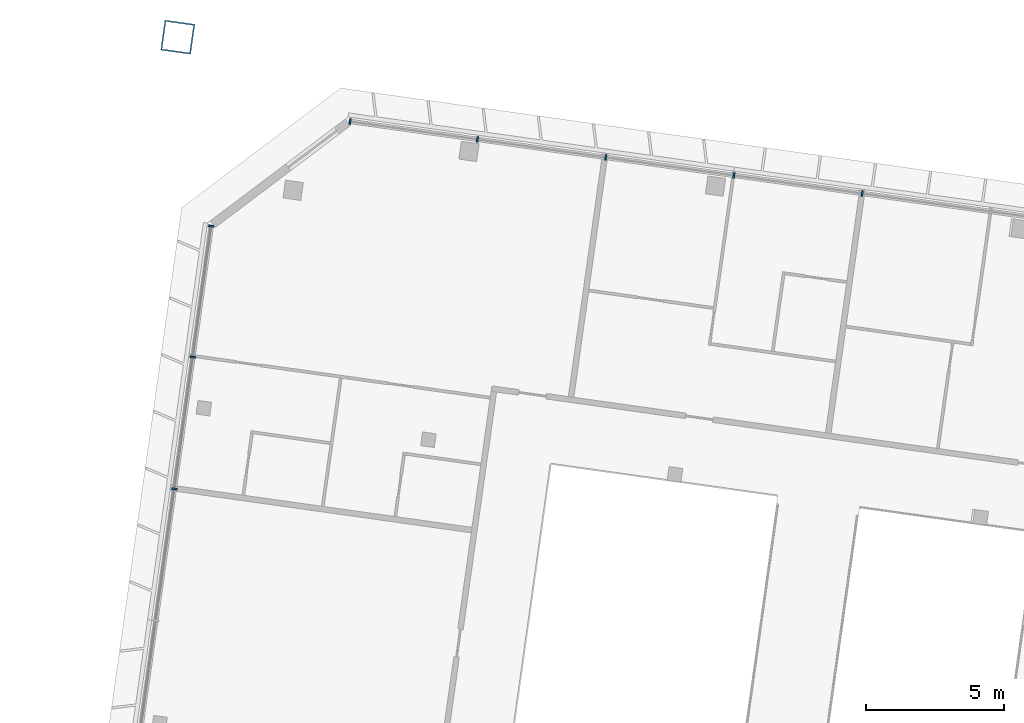
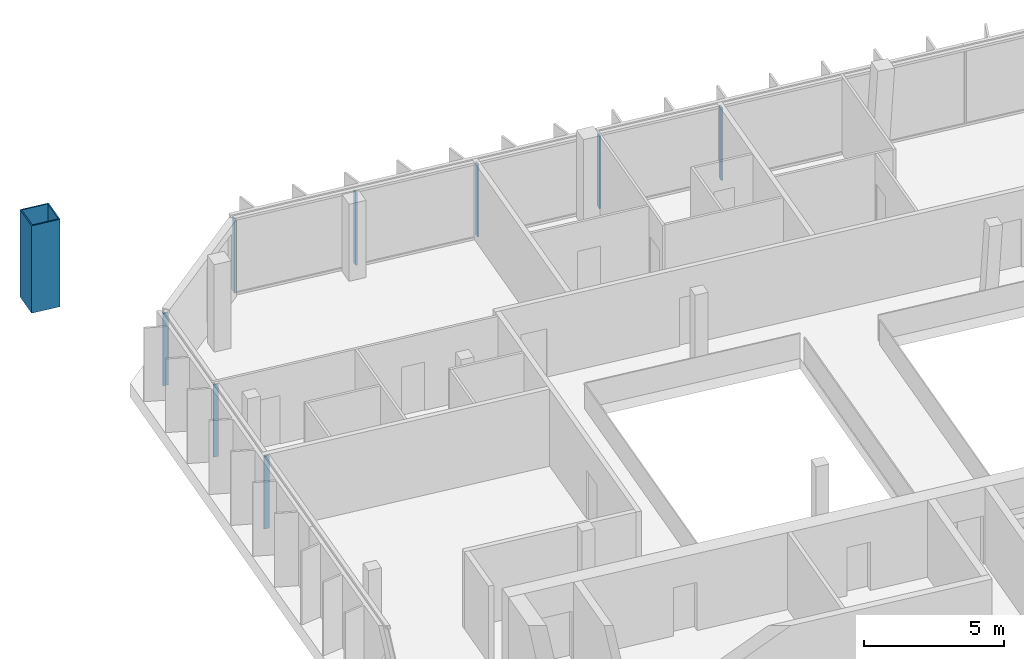
# One storey, part 4 of 20: 9 members, 2 elements without a shape of their own.
"""IFC4 building model written with IfcOpenShell, lengths in metres."""

from ifc_helpers import new_model, si_unit, direction, frame, origin, origin_2d, place, context, subcontext, project, spatial, rectangle, hollow_rectangle, extrude, material, material_profile, profile_set, type_object, element, aggregate, save


model = new_model("IFC4")

# Units and contexts
model_context = context("Model", 3, precision=1e-05, world=origin(), true_north=direction((0.0, 1.0)))
body_context = subcontext(model_context, "Body", "Model", "MODEL_VIEW")
ifc_project = project(units=[si_unit("LENGTHUNIT", "METRE"), si_unit("AREAUNIT", "SQUARE_METRE"), si_unit("VOLUMEUNIT", "CUBIC_METRE"), si_unit("PLANEANGLEUNIT", "RADIAN"), si_unit("MASSUNIT", "GRAM", prefix="KILO")], contexts=[model_context])

# Site, building, storey
site_placement = place(None, origin())
site = spatial("IfcSite", under=ifc_project, at=site_placement, CompositionType="ELEMENT")
building_placement = place(site_placement, origin())
building = spatial("IfcBuilding", under=site, at=building_placement, Name="Mirante Cascada Hotel Towers", CompositionType="ELEMENT")
storey_placement = place(building_placement, frame((0.0, 0.0, 224.2)))
storey = spatial("IfcBuildingStorey", under=building, at=storey_placement, Name="L53", CompositionType="ELEMENT", Elevation=224.2)

# Member
ifc_material_1 = material(Name="Steel ASTM A572 Gr 50", Category="steel")
ifc_material_profile_1 = material_profile(ifc_material_1, hollow_rectangle(XDim=1.1, YDim=1.1, WallThickness=0.05, at=origin_2d()), Name="Box post 1100x1100x50 ASTM A572 Gr 50")
ifc_profile_set_1 = profile_set([ifc_material_profile_1], Name="Steel ASTM A572 Gr 50")
member_type_1 = type_object("IfcMemberType", Name="Box post 1100x1100x50 ASTM A572 Gr 50", PredefinedType="POST", material=ifc_profile_set_1)
member_1_placement = place(storey_placement, frame((-73.62, 25.3368, 0.0), z_axis=(0.0, 0.0, 1.0), x_axis=(-0.9902681, 0.1391731, 0.0)))
element("IfcMember", 1, at=member_1_placement, inside=storey, type_object=member_type_1, Name="Mega column MP3 T1 L53", PredefinedType="POST", context=body_context, shape_type="SweptSolid", body=[
    extrude(hollow_rectangle(XDim=1.1, YDim=1.1, WallThickness=0.05, at=origin_2d()), origin(), (0.0, 0.0, 1.0), 3.8),
])

# Curtain wall, members
ifc_material_2 = material(Name="Aluminium mullion and transom frame with clear laminated glass", Category="aluminium")
curtain_wall_type_1 = type_object("IfcCurtainWallType", Name="Ribbon curtain wall ECW1", PredefinedType="NOTDEFINED", material=ifc_material_2)
curtain_wall_1_placement = place(storey_placement, origin())
curtain_wall_1 = element("IfcCurtainWall", 2, at=curtain_wall_1_placement, inside=storey, type_object=curtain_wall_type_1, Name="Front ribbon wall T1 L53", PredefinedType="NOTDEFINED")
ifc_material_3 = material(Name="Anodised aluminium extrusion", Category="aluminium")
ifc_material_profile_2 = material_profile(ifc_material_3, rectangle(XDim=0.2, YDim=0.065, at=origin_2d()), Name="ECW1 MULLION 65x200")
ifc_profile_set_2 = profile_set([ifc_material_profile_2], Name="Anodised aluminium extrusion")
member_type_2 = type_object("IfcMemberType", Name="ECW1 mullion 65x200", PredefinedType="MULLION", material=ifc_profile_set_2)
member_2_placement = place(storey_placement, frame((-67.3887, 22.2899, 0.1), z_axis=(0.0, 0.0, 1.0), x_axis=(0.1391731, 0.9902681, 0.0)))
member_2 = element("IfcMember", 3, at=member_2_placement, type_object=member_type_2, Name="ECW1 mullion 1", PredefinedType="MULLION", context=body_context, shape_type="SweptSolid", body=[
    extrude(rectangle(XDim=0.2, YDim=0.065, at=origin_2d()), origin(), (0.0, 0.0, 1.0), 3.15),
])
member_3_placement = place(storey_placement, frame((-62.7854, 21.6429, 0.1), z_axis=(0.0, 0.0, 1.0), x_axis=(0.1391731, 0.9902681, 0.0)))
member_3 = element("IfcMember", 4, at=member_3_placement, type_object=member_type_2, Name="ECW1 mullion 2", PredefinedType="MULLION", context=body_context, shape_type="SweptSolid", body=[
    extrude(rectangle(XDim=0.2, YDim=0.065, at=origin_2d()), origin(), (0.0, 0.0, 1.0), 3.15),
])
member_4_placement = place(storey_placement, frame((-58.1499, 20.9915, 0.1), z_axis=(0.0, 0.0, 1.0), x_axis=(0.1391731, 0.9902681, 0.0)))
member_4 = element("IfcMember", 5, at=member_4_placement, type_object=member_type_2, Name="ECW1 mullion 3", PredefinedType="MULLION", context=body_context, shape_type="SweptSolid", body=[
    extrude(rectangle(XDim=0.2, YDim=0.065, at=origin_2d()), origin(), (0.0, 0.0, 1.0), 3.15),
])
member_5_placement = place(storey_placement, frame((-53.5143, 20.34, 0.1), z_axis=(0.0, 0.0, 1.0), x_axis=(0.1391731, 0.9902681, 0.0)))
member_5 = element("IfcMember", 6, at=member_5_placement, type_object=member_type_2, Name="ECW1 mullion 4", PredefinedType="MULLION", context=body_context, shape_type="SweptSolid", body=[
    extrude(rectangle(XDim=0.2, YDim=0.065, at=origin_2d()), origin(), (0.0, 0.0, 1.0), 3.15),
])
member_6_placement = place(storey_placement, frame((-48.8788, 19.6885, 0.1), z_axis=(0.0, 0.0, 1.0), x_axis=(0.1391731, 0.9902681, 0.0)))
member_6 = element("IfcMember", 7, at=member_6_placement, type_object=member_type_2, Name="ECW1 mullion 5", PredefinedType="MULLION", context=body_context, shape_type="SweptSolid", body=[
    extrude(rectangle(XDim=0.2, YDim=0.065, at=origin_2d()), origin(), (0.0, 0.0, 1.0), 3.15),
])
aggregate(curtain_wall_1, [member_2, member_3, member_4, member_5, member_6])

ifc_material_4 = material(Name="Aluminium mullion and transom frame with clear laminated glass", Category="aluminium")
curtain_wall_type_2 = type_object("IfcCurtainWallType", Name="End ribbon curtain wall ECW2", PredefinedType="NOTDEFINED", material=ifc_material_4)
curtain_wall_2_placement = place(storey_placement, origin())
curtain_wall_2 = element("IfcCurtainWall", 8, at=curtain_wall_2_placement, inside=storey, type_object=curtain_wall_type_2, Name="Outer end wall T1 L53", PredefinedType="NOTDEFINED")
ifc_material_5 = material(Name="Anodised aluminium extrusion", Category="aluminium")
ifc_material_profile_3 = material_profile(ifc_material_5, rectangle(XDim=0.2, YDim=0.065, at=origin_2d()), Name="ECW2 MULLION 65x200")
ifc_profile_set_3 = profile_set([ifc_material_profile_3], Name="Anodised aluminium extrusion")
member_type_3 = type_object("IfcMemberType", Name="ECW2 mullion 65x200", PredefinedType="MULLION", material=ifc_profile_set_3)
member_7_placement = place(storey_placement, frame((-73.7437, 9.0077, 0.1), z_axis=(0.0, 0.0, 1.0), x_axis=(-0.9902681, 0.1391731, 0.0)))
member_7 = element("IfcMember", 9, at=member_7_placement, type_object=member_type_3, Name="ECW2 mullion 5", PredefinedType="MULLION", context=body_context, shape_type="SweptSolid", body=[
    extrude(rectangle(XDim=0.2, YDim=0.065, at=origin_2d()), origin(), (0.0, 0.0, 1.0), 3.15),
])
member_8_placement = place(storey_placement, frame((-73.0739, 13.7735, 0.1), z_axis=(0.0, 0.0, 1.0), x_axis=(-0.9902681, 0.1391731, 0.0)))
member_8 = element("IfcMember", 10, at=member_8_placement, type_object=member_type_3, Name="ECW2 mullion 6", PredefinedType="MULLION", context=body_context, shape_type="SweptSolid", body=[
    extrude(rectangle(XDim=0.2, YDim=0.065, at=origin_2d()), origin(), (0.0, 0.0, 1.0), 3.15),
])
member_9_placement = place(storey_placement, frame((-72.4087, 18.5071, 0.1), z_axis=(0.0, 0.0, 1.0), x_axis=(-0.9902681, 0.1391731, 0.0)))
member_9 = element("IfcMember", 11, at=member_9_placement, type_object=member_type_3, Name="ECW2 mullion 7", PredefinedType="MULLION", context=body_context, shape_type="SweptSolid", body=[
    extrude(rectangle(XDim=0.2, YDim=0.065, at=origin_2d()), origin(), (0.0, 0.0, 1.0), 3.15),
])
aggregate(curtain_wall_2, [member_7, member_8, member_9])

save(model, "model.ifc")
